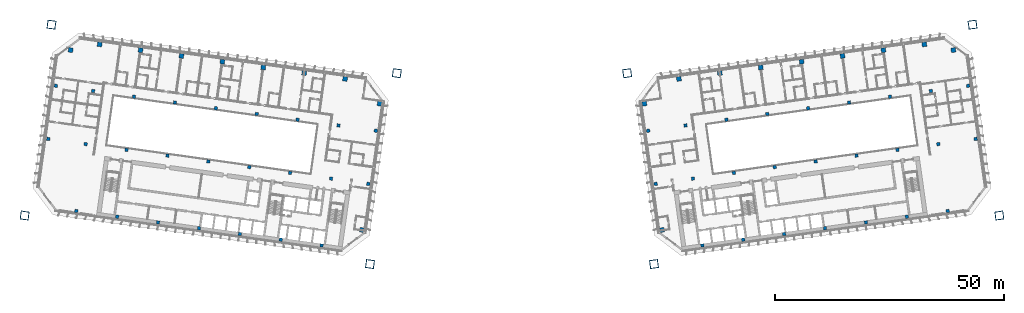
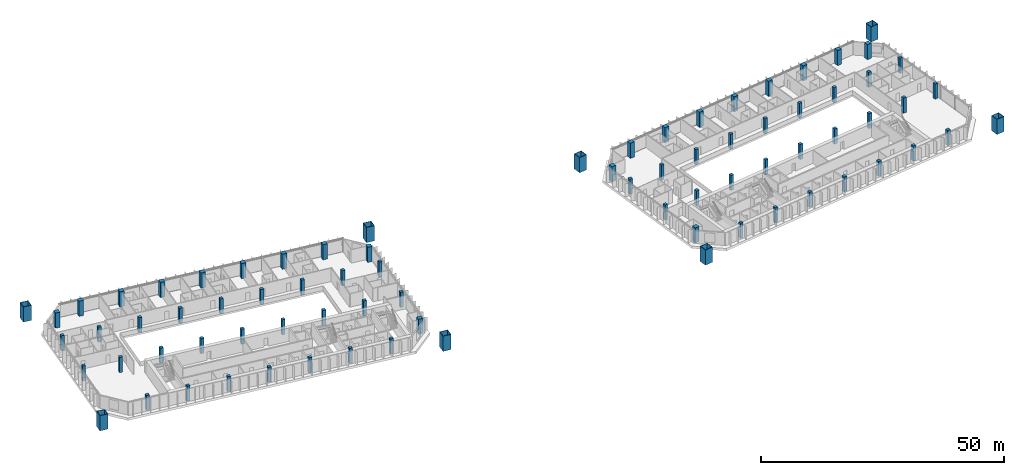
# One storey, part 1 of 25: 78 columns.
"""IFC4 building model written with IfcOpenShell, lengths in metres."""

from ifc_helpers import new_model, si_unit, direction, frame, origin, origin_2d, place, context, subcontext, project, spatial, rectangle, hollow_rectangle, extrude, material, material_profile, profile_set, type_object, element, save


model = new_model("IFC4")

# Units and contexts
model_context = context("Model", 3, precision=1e-05, world=origin(), true_north=direction((0.0, 1.0)))
body_context = subcontext(model_context, "Body", "Model", "MODEL_VIEW")
ifc_project = project(units=[si_unit("LENGTHUNIT", "METRE"), si_unit("AREAUNIT", "SQUARE_METRE"), si_unit("VOLUMEUNIT", "CUBIC_METRE"), si_unit("PLANEANGLEUNIT", "RADIAN"), si_unit("MASSUNIT", "GRAM", prefix="KILO")], contexts=[model_context])

# Site, building, storey
site_placement = place(None, origin())
site = spatial("IfcSite", under=ifc_project, at=site_placement, CompositionType="ELEMENT")
building_placement = place(site_placement, origin())
building = spatial("IfcBuilding", under=site, at=building_placement, Name="Mirante Cascada Hotel Towers", CompositionType="ELEMENT")
storey_placement = place(building_placement, frame((0.0, 0.0, 54.7)))
storey = spatial("IfcBuildingStorey", under=building, at=storey_placement, Name="L10", CompositionType="ELEMENT", Elevation=54.7)

# Columns
ifc_material_1 = material(Name="Steel ASTM A572 Gr 50", Category="steel")
ifc_material_profile_1 = material_profile(ifc_material_1, hollow_rectangle(XDim=1.8, YDim=1.8, WallThickness=0.08, at=origin_2d()), Name="Box column 1800x1800x80 ASTM A572 Gr 50")
ifc_profile_set_1 = profile_set([ifc_material_profile_1], Name="Steel ASTM A572 Gr 50")
column_type_1 = type_object("IfcColumnType", Name="Box column 1800x1800x80 ASTM A572 Gr 50", PredefinedType="COLUMN", material=ifc_profile_set_1)
for number, where, z_axis, x_axis, name in (
    (1, (-25.0968, 18.5173, 0.0), (0.0, 0.0, 1.0), (-0.9902681, 0.1391731, 0.0), "Mega column MC1 T1 L10"),
    (2, (-30.9421, -23.074, 0.0), (0.0, 0.0, 1.0), (-0.9902681, 0.1391731, 0.0), "Mega column MC2 T1 L10"),
    (3, (-100.3572, 29.0944, 0.0), (0.0, 0.0, 1.0), (-0.9902681, 0.1391731, 0.0), "Mega column MC3 T1 L10"),
    (4, (-106.2025, -12.4968, 0.0), (0.0, 0.0, 1.0), (-0.9902681, 0.1391731, 0.0), "Mega column MC4 T1 L10"),
    (5, (25.0968, 18.5173, 0.0), (0.0, 0.0, 1.0), (0.9902681, 0.1391731, 0.0), "Mega column MC1 T2 L10"),
    (6, (30.9421, -23.074, 0.0), (0.0, 0.0, 1.0), (0.9902681, 0.1391731, 0.0), "Mega column MC2 T2 L10"),
    (7, (100.3572, 29.0944, 0.0), (0.0, 0.0, 1.0), (0.9902681, 0.1391731, 0.0), "Mega column MC3 T2 L10"),
    (8, (106.2025, -12.4968, 0.0), (0.0, 0.0, 1.0), (0.9902681, 0.1391731, 0.0), "Mega column MC4 T2 L10"),
):
    element("IfcColumn", number, at=place(storey_placement, frame(where, z_axis=z_axis, x_axis=x_axis)), inside=storey, type_object=column_type_1, Name=name, PredefinedType="COLUMN", context=body_context, shape_type="SweptSolid", body=[
        extrude(hollow_rectangle(XDim=1.8, YDim=1.8, WallThickness=0.08, at=origin_2d()), origin(), (0.0, 0.0, 1.0), 3.8),
    ])
ifc_material_2 = material(Name="Concrete C60/75", Category="concrete")
ifc_material_profile_2 = material_profile(ifc_material_2, rectangle(XDim=1.0, YDim=1.0, at=origin_2d()), Name="RC column 1000x1000 C60/75")
ifc_profile_set_2 = profile_set([ifc_material_profile_2], Name="Concrete C60/75")
column_type_2 = type_object("IfcColumnType", Name="RC column 1000x1000 C60/75", PredefinedType="COLUMN", material=ifc_profile_set_2)
for number, where, z_axis, x_axis, name in (
    (9, (-28.8577, 11.8761, 0.0), (0.0, 0.0, 1.0), (-0.9902681, 0.1391731, 0.0), "Column T1 L10 1"),
    (10, (-32.7267, -15.6534, 0.0), (0.0, 0.0, 1.0), (-0.9902681, 0.1391731, 0.0), "Column T1 L10 4"),
    (11, (-36.3795, 17.2754, 0.0), (0.0, 0.0, 1.0), (-0.9902681, 0.1391731, 0.0), "Column T1 L10 5"),
    (12, (-45.2919, 18.528, 0.0), (0.0, 0.0, 1.0), (-0.9902681, 0.1391731, 0.0), "Column T1 L10 9"),
    (13, (-54.2043, 19.7806, 0.0), (0.0, 0.0, 1.0), (-0.9902681, 0.1391731, 0.0), "Column T1 L10 13"),
    (14, (-63.1167, 21.0331, 0.0), (0.0, 0.0, 1.0), (-0.9902681, 0.1391731, 0.0), "Column T1 L10 17"),
    (15, (-72.0291, 22.2857, 0.0), (0.0, 0.0, 1.0), (-0.9902681, 0.1391731, 0.0), "Column T1 L10 21"),
    (16, (-80.9415, 23.5382, 0.0), (0.0, 0.0, 1.0), (-0.9902681, 0.1391731, 0.0), "Column T1 L10 25"),
    (17, (-89.8539, 24.7908, 0.0), (0.0, 0.0, 1.0), (-0.9902681, 0.1391731, 0.0), "Column T1 L10 29"),
    (18, (-96.1868, 23.5602, 0.0), (0.0, 0.0, 1.0), (-0.9902681, 0.1391731, 0.0), "Column T1 L10 33"),
    (19, (28.8577, 11.8761, 0.0), (0.0, 0.0, 1.0), (0.9902681, 0.1391731, 0.0), "Column T2 L10 1"),
    (20, (32.7267, -15.6534, 0.0), (0.0, 0.0, 1.0), (0.9902681, 0.1391731, 0.0), "Column T2 L10 4"),
    (21, (36.3795, 17.2754, 0.0), (0.0, 0.0, 1.0), (0.9902681, 0.1391731, 0.0), "Column T2 L10 5"),
    (22, (45.2919, 18.528, 0.0), (0.0, 0.0, 1.0), (0.9902681, 0.1391731, 0.0), "Column T2 L10 9"),
    (23, (54.2043, 19.7806, 0.0), (0.0, 0.0, 1.0), (0.9902681, 0.1391731, 0.0), "Column T2 L10 13"),
    (24, (63.1167, 21.0331, 0.0), (0.0, 0.0, 1.0), (0.9902681, 0.1391731, 0.0), "Column T2 L10 17"),
    (25, (72.0291, 22.2857, 0.0), (0.0, 0.0, 1.0), (0.9902681, 0.1391731, 0.0), "Column T2 L10 21"),
    (26, (80.9415, 23.5382, 0.0), (0.0, 0.0, 1.0), (0.9902681, 0.1391731, 0.0), "Column T2 L10 25"),
    (27, (89.8539, 24.7908, 0.0), (0.0, 0.0, 1.0), (0.9902681, 0.1391731, 0.0), "Column T2 L10 29"),
    (28, (96.1868, 23.5602, 0.0), (0.0, 0.0, 1.0), (0.9902681, 0.1391731, 0.0), "Column T2 L10 33"),
):
    element("IfcColumn", number, at=place(storey_placement, frame(where, z_axis=z_axis, x_axis=x_axis)), inside=storey, type_object=column_type_2, Name=name, PredefinedType="COLUMN", context=body_context, shape_type="SweptSolid", body=[
        extrude(rectangle(XDim=1.0, YDim=1.0, at=origin_2d()), origin(), (0.0, 0.0, 1.0), 3.8),
    ])
ifc_material_3 = material(Name="Concrete C60/75", Category="concrete")
ifc_material_profile_3 = material_profile(ifc_material_3, rectangle(XDim=0.7, YDim=0.7, at=origin_2d()), Name="RC column 700x700 C60/75")
ifc_profile_set_3 = profile_set([ifc_material_profile_3], Name="Concrete C60/75")
column_type_3 = type_object("IfcColumnType", Name="RC column 700x700 C60/75", PredefinedType="COLUMN", material=ifc_profile_set_3)
for number, where, z_axis, x_axis, name in (
    (29, (-29.6858, 5.984, 0.0), (0.0, 0.0, 1.0), (-0.9902681, 0.1391731, 0.0), "Column T1 L10 2"),
    (30, (-31.3141, -5.6022, 0.0), (0.0, 0.0, 1.0), (-0.9902681, 0.1391731, 0.0), "Column T1 L10 3"),
    (31, (-37.806, 7.1252, 0.0), (0.0, 0.0, 1.0), (-0.9902681, 0.1391731, 0.0), "Column T1 L10 6"),
    (32, (-39.4343, -4.4609, 0.0), (0.0, 0.0, 1.0), (-0.9902681, 0.1391731, 0.0), "Column T1 L10 7"),
    (33, (-41.4802, -19.0179, 0.0), (0.0, 0.0, 1.0), (-0.9902681, 0.1391731, 0.0), "Column T1 L10 8"),
    (34, (-46.7184, 8.3777, 0.0), (0.0, 0.0, 1.0), (-0.9902681, 0.1391731, 0.0), "Column T1 L10 10"),
    (35, (-48.3467, -3.2084, 0.0), (0.0, 0.0, 1.0), (-0.9902681, 0.1391731, 0.0), "Column T1 L10 11"),
    (36, (-50.3926, -17.7653, 0.0), (0.0, 0.0, 1.0), (-0.9902681, 0.1391731, 0.0), "Column T1 L10 12"),
    (37, (-55.6308, 9.6303, 0.0), (0.0, 0.0, 1.0), (-0.9902681, 0.1391731, 0.0), "Column T1 L10 14"),
    (38, (-57.2591, -1.9558, 0.0), (0.0, 0.0, 1.0), (-0.9902681, 0.1391731, 0.0), "Column T1 L10 15"),
    (39, (-59.305, -16.5128, 0.0), (0.0, 0.0, 1.0), (-0.9902681, 0.1391731, 0.0), "Column T1 L10 16"),
    (40, (-64.5432, 10.8829, 0.0), (0.0, 0.0, 1.0), (-0.9902681, 0.1391731, 0.0), "Column T1 L10 18"),
    (41, (-66.1716, -0.7033, 0.0), (0.0, 0.0, 1.0), (-0.9902681, 0.1391731, 0.0), "Column T1 L10 19"),
    (42, (-68.2174, -15.2602, 0.0), (0.0, 0.0, 1.0), (-0.9902681, 0.1391731, 0.0), "Column T1 L10 20"),
    (43, (-73.4556, 12.1354, 0.0), (0.0, 0.0, 1.0), (-0.9902681, 0.1391731, 0.0), "Column T1 L10 22"),
    (44, (-75.084, 0.5493, 0.0), (0.0, 0.0, 1.0), (-0.9902681, 0.1391731, 0.0), "Column T1 L10 23"),
    (45, (-77.1298, -14.0077, 0.0), (0.0, 0.0, 1.0), (-0.9902681, 0.1391731, 0.0), "Column T1 L10 24"),
    (46, (-82.368, 13.388, 0.0), (0.0, 0.0, 1.0), (-0.9902681, 0.1391731, 0.0), "Column T1 L10 26"),
    (47, (-83.9964, 1.8018, 0.0), (0.0, 0.0, 1.0), (-0.9902681, 0.1391731, 0.0), "Column T1 L10 27"),
    (48, (-86.0422, -12.7551, 0.0), (0.0, 0.0, 1.0), (-0.9902681, 0.1391731, 0.0), "Column T1 L10 28"),
    (49, (-91.2805, 14.6405, 0.0), (0.0, 0.0, 1.0), (-0.9902681, 0.1391731, 0.0), "Column T1 L10 30"),
    (50, (-92.9088, 3.0544, 0.0), (0.0, 0.0, 1.0), (-0.9902681, 0.1391731, 0.0), "Column T1 L10 31"),
    (51, (-94.9546, -11.5025, 0.0), (0.0, 0.0, 1.0), (-0.9902681, 0.1391731, 0.0), "Column T1 L10 32"),
    (52, (-99.4007, 15.7818, 0.0), (0.0, 0.0, 1.0), (-0.9902681, 0.1391731, 0.0), "Column T1 L10 34"),
    (53, (-101.029, 4.1956, 0.0), (0.0, 0.0, 1.0), (-0.9902681, 0.1391731, 0.0), "Column T1 L10 35"),
    (54, (29.6858, 5.984, 0.0), (0.0, 0.0, 1.0), (0.9902681, 0.1391731, 0.0), "Column T2 L10 2"),
    (55, (31.3141, -5.6022, 0.0), (0.0, 0.0, 1.0), (0.9902681, 0.1391731, 0.0), "Column T2 L10 3"),
    (56, (37.806, 7.1252, 0.0), (0.0, 0.0, 1.0), (0.9902681, 0.1391731, 0.0), "Column T2 L10 6"),
    (57, (39.4343, -4.4609, 0.0), (0.0, 0.0, 1.0), (0.9902681, 0.1391731, 0.0), "Column T2 L10 7"),
    (58, (41.4802, -19.0179, 0.0), (0.0, 0.0, 1.0), (0.9902681, 0.1391731, 0.0), "Column T2 L10 8"),
    (59, (46.7184, 8.3777, 0.0), (0.0, 0.0, 1.0), (0.9902681, 0.1391731, 0.0), "Column T2 L10 10"),
    (60, (48.3467, -3.2084, 0.0), (0.0, 0.0, 1.0), (0.9902681, 0.1391731, 0.0), "Column T2 L10 11"),
    (61, (50.3926, -17.7653, 0.0), (0.0, 0.0, 1.0), (0.9902681, 0.1391731, 0.0), "Column T2 L10 12"),
    (62, (55.6308, 9.6303, 0.0), (0.0, 0.0, 1.0), (0.9902681, 0.1391731, 0.0), "Column T2 L10 14"),
    (63, (57.2591, -1.9558, 0.0), (0.0, 0.0, 1.0), (0.9902681, 0.1391731, 0.0), "Column T2 L10 15"),
    (64, (59.305, -16.5128, 0.0), (0.0, 0.0, 1.0), (0.9902681, 0.1391731, 0.0), "Column T2 L10 16"),
    (65, (64.5432, 10.8829, 0.0), (0.0, 0.0, 1.0), (0.9902681, 0.1391731, 0.0), "Column T2 L10 18"),
    (66, (66.1716, -0.7033, 0.0), (0.0, 0.0, 1.0), (0.9902681, 0.1391731, 0.0), "Column T2 L10 19"),
    (67, (68.2174, -15.2602, 0.0), (0.0, 0.0, 1.0), (0.9902681, 0.1391731, 0.0), "Column T2 L10 20"),
    (68, (73.4556, 12.1354, 0.0), (0.0, 0.0, 1.0), (0.9902681, 0.1391731, 0.0), "Column T2 L10 22"),
    (69, (75.084, 0.5493, 0.0), (0.0, 0.0, 1.0), (0.9902681, 0.1391731, 0.0), "Column T2 L10 23"),
    (70, (77.1298, -14.0077, 0.0), (0.0, 0.0, 1.0), (0.9902681, 0.1391731, 0.0), "Column T2 L10 24"),
    (71, (82.368, 13.388, 0.0), (0.0, 0.0, 1.0), (0.9902681, 0.1391731, 0.0), "Column T2 L10 26"),
    (72, (83.9964, 1.8018, 0.0), (0.0, 0.0, 1.0), (0.9902681, 0.1391731, 0.0), "Column T2 L10 27"),
    (73, (86.0422, -12.7551, 0.0), (0.0, 0.0, 1.0), (0.9902681, 0.1391731, 0.0), "Column T2 L10 28"),
    (74, (91.2805, 14.6405, 0.0), (0.0, 0.0, 1.0), (0.9902681, 0.1391731, 0.0), "Column T2 L10 30"),
    (75, (92.9088, 3.0544, 0.0), (0.0, 0.0, 1.0), (0.9902681, 0.1391731, 0.0), "Column T2 L10 31"),
    (76, (94.9546, -11.5025, 0.0), (0.0, 0.0, 1.0), (0.9902681, 0.1391731, 0.0), "Column T2 L10 32"),
    (77, (99.4007, 15.7818, 0.0), (0.0, 0.0, 1.0), (0.9902681, 0.1391731, 0.0), "Column T2 L10 34"),
    (78, (101.029, 4.1956, 0.0), (0.0, 0.0, 1.0), (0.9902681, 0.1391731, 0.0), "Column T2 L10 35"),
):
    element("IfcColumn", number, at=place(storey_placement, frame(where, z_axis=z_axis, x_axis=x_axis)), inside=storey, type_object=column_type_3, Name=name, PredefinedType="COLUMN", context=body_context, shape_type="SweptSolid", body=[
        extrude(rectangle(XDim=0.7, YDim=0.7, at=origin_2d()), origin(), (0.0, 0.0, 1.0), 3.8),
    ])

save(model, "model.ifc")
